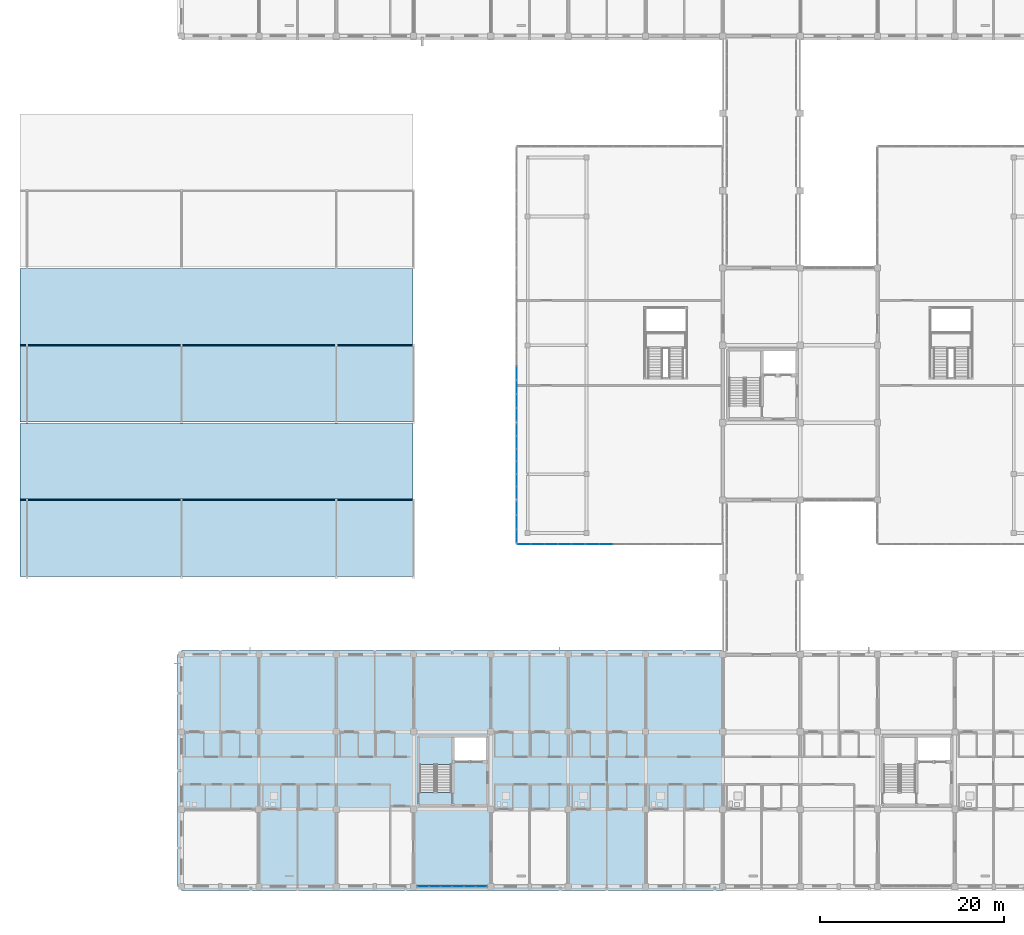
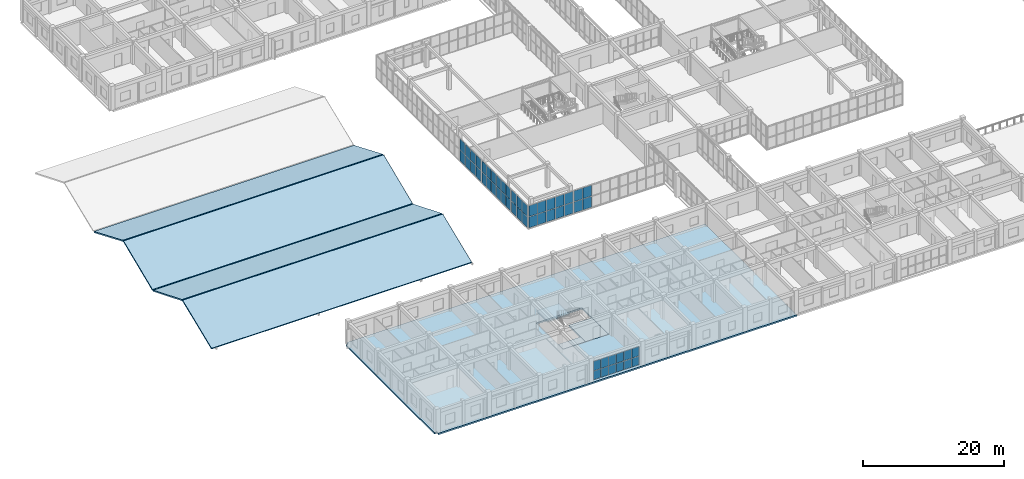
# One storey, part 96 of 140: 52 plates, 8 slabs, 7 elements without a shape of their own.
"""IFC4 building model written with IfcOpenShell, lengths in metres."""

import ifcopenshell
import ifcopenshell.guid

model = None  # the IFC model being written
_history = None  # IfcOwnerHistory: only IFC2X3 demands one
_inside = {}  # id of a spatial element -> (the spatial element, [elements in it])
_under = {}  # id of a project, library or spatial element -> (it, [spatial elements below it])
_declared = {}  # id of a project -> (the project, [libraries it declares])
_typed = {}  # id of a type object -> (the type object, [elements of that type])
_made_of = {}  # id of a material, layer set ... -> (it, [elements and type objects made of it])


def new_model(schema):
    """Start an empty IFC model of exactly this schema.

    Asked for "IFC4X3", IfcOpenShell would pick the latest addendum, in which some entities
    have other attributes; the version numbers below select the first issue.
    IFC2X3 requires an IfcOwnerHistory on every rooted entity: one is made here for all.
    """
    global model, _history
    if schema == "IFC4X3":
        model = ifcopenshell.file(schema_version=(4, 3, 0, 0))
    else:
        model = ifcopenshell.file(schema=schema)
    _inside.clear()
    _under.clear()
    _declared.clear()
    _typed.clear()
    _made_of.clear()
    _history = None
    if model.schema == "IFC2X3":
        org = make("IfcOrganization", Name="unknown")
        user = make(
            "IfcPersonAndOrganization",
            ThePerson=make("IfcPerson", FamilyName="unknown"),
            TheOrganization=org,
        )
        app = make(
            "IfcApplication",
            ApplicationDeveloper=org,
            Version="unknown",
            ApplicationFullName="unknown",
            ApplicationIdentifier="unknown",
        )
        _history = make(
            "IfcOwnerHistory",
            OwningUser=user,
            OwningApplication=app,
            ChangeAction="ADDED",
            CreationDate=0,
        )
    return model


def make(cls, **values):
    """One entity of the class cls with the attributes given. An attribute that is None is left unset."""
    return model.create_entity(
        cls, **{name: value for name, value in values.items() if value is not None}
    )


def rooted(cls, **values):
    """An entity with a GlobalId (a new one), such as an element, a storey or a relation."""
    return make(cls, GlobalId=ifcopenshell.guid.new(), OwnerHistory=_history, **values)


def si_unit(unit_type, name, prefix=None):
    """IfcSIUnit, for example si_unit("LENGTHUNIT", "METRE", prefix="MILLI")."""
    return make("IfcSIUnit", UnitType=unit_type, Prefix=prefix, Name=name)


def assignment(units):
    """IfcUnitAssignment: the units of a project."""
    return None if units is None else make("IfcUnitAssignment", Units=units)


def point(xyz):
    """IfcCartesianPoint."""
    return None if xyz is None else make("IfcCartesianPoint", Coordinates=xyz)


def direction(xyz):
    """IfcDirection."""
    return None if xyz is None else make("IfcDirection", DirectionRatios=xyz)


def frame(location, z_axis=None, x_axis=None):
    """IfcAxis2Placement3D, a coordinate frame: its origin and axes. An axis left out is left unset."""
    return make(
        "IfcAxis2Placement3D",
        Location=point(location),
        Axis=direction(z_axis),
        RefDirection=direction(x_axis),
    )


def frame_2d(location, x_axis=None):
    """IfcAxis2Placement2D, a coordinate frame in the plane: its origin and x axis."""
    return make(
        "IfcAxis2Placement2D", Location=point(location), RefDirection=direction(x_axis)
    )


def origin():
    """The frame at (0, 0, 0) with its axes left unset."""
    return frame((0.0, 0.0, 0.0))


def origin_2d():
    """The frame at (0, 0) in the plane with its x axis left unset."""
    return frame_2d((0.0, 0.0))


def place(relative_to, where):
    """IfcLocalPlacement: puts the frame where relative to a parent placement (None: the world)."""
    return make(
        "IfcLocalPlacement", PlacementRelTo=relative_to, RelativePlacement=where
    )


def context(
    kind, dimensions, precision=None, world=None, true_north=None, identifier=None
):
    """IfcGeometricRepresentationContext, for example the 3D "Model" context."""
    return make(
        "IfcGeometricRepresentationContext",
        ContextIdentifier=identifier,
        ContextType=kind,
        CoordinateSpaceDimension=dimensions,
        Precision=precision,
        WorldCoordinateSystem=world,
        TrueNorth=true_north,
    )


def subcontext(parent, identifier, kind, view, scale=None):
    """IfcGeometricRepresentationSubContext, for example "Body" below "Model"."""
    return make(
        "IfcGeometricRepresentationSubContext",
        ContextIdentifier=identifier,
        ContextType=kind,
        ParentContext=parent,
        TargetScale=scale,
        TargetView=view,
    )


def project(units=None, contexts=None):
    """IfcProject with its units and contexts."""
    return rooted(
        "IfcProject",
        Name="project",
        RepresentationContexts=contexts,
        UnitsInContext=assignment(units),
    )


def spatial(cls, under=None, at=None, **own):
    """A site, building, storey or space (cls), placed at a placement, below another one or the project."""
    s = rooted(cls, ObjectPlacement=at, **own)
    if under is not None:
        _under.setdefault(under.id(), (under, []))[1].append(s)
    return s


def polyline(points):
    """IfcPolyline through the points."""
    return make("IfcPolyline", Points=[point(p) for p in points])


def profile(cls, at=None, kind="AREA", **sizes):
    """A parametric profile (cls). Its sizes go by their IFC names, for example OverallWidth=200.0."""
    return make(cls, ProfileType=kind, Position=at, **sizes)


def rectangle(**sizes):
    """IfcRectangleProfileDef."""
    return profile("IfcRectangleProfileDef", **sizes)


def outline(outer, holes=None, kind="AREA"):
    """IfcArbitraryClosedProfileDef: a profile drawn as a closed curve; with holes, ...WithVoids."""
    if holes is None:
        return make("IfcArbitraryClosedProfileDef", ProfileType=kind, OuterCurve=outer)
    return make(
        "IfcArbitraryProfileDefWithVoids",
        ProfileType=kind,
        OuterCurve=outer,
        InnerCurves=holes,
    )


def extrude(swept, where, along, depth):
    """IfcExtrudedAreaSolid: the profile swept, set in the frame where, extruded along a direction by depth."""
    return make(
        "IfcExtrudedAreaSolid",
        SweptArea=swept,
        Position=where,
        ExtrudedDirection=direction(along),
        Depth=depth,
    )


def shape(context_of_items, identifier, shape_type, items):
    """IfcShapeRepresentation: the items that make up one representation, for example the "Body"."""
    return make(
        "IfcShapeRepresentation",
        ContextOfItems=context_of_items,
        RepresentationIdentifier=identifier,
        RepresentationType=shape_type,
        Items=items,
    )


def material(Name=None, Category=None):
    """IfcMaterial."""
    return make("IfcMaterial", Name=Name, Category=Category)


def layer(
    of_material, thickness, ventilated=None, Name=None, Category=None, Priority=None
):
    """IfcMaterialLayer: one layer of a wall or slab, of a material (None: an air gap)."""
    return make(
        "IfcMaterialLayer",
        Material=of_material,
        LayerThickness=thickness,
        IsVentilated=ventilated,
        Name=Name,
        Category=Category,
        Priority=Priority,
    )


def layer_set(layers, Name=None):
    """IfcMaterialLayerSet."""
    return make("IfcMaterialLayerSet", MaterialLayers=layers, LayerSetName=Name)


def made_of(thing, what):
    """Note that an element or type object is made of a material, layer set ...; save() writes the relation."""
    if what is not None:
        _made_of.setdefault(what.id(), (what, []))[1].append(thing)
    return thing


def type_object(cls, material=None, **own):
    """A type object (cls), such as IfcWallType, which elements share."""
    return made_of(rooted(cls, **own), material)


def element(
    cls,
    number,
    at=None,
    inside=None,
    cuts=None,
    type_object=None,
    material=None,
    context=None,
    identifier="Body",
    shape_type=None,
    held_by="IfcProductDefinitionShape",
    body=None,
    shapes=None,
    **own,
):
    """One element of the class cls, such as IfcWall. Its Tag is "e" and its number.

    at: its placement. inside: the storey or other place that contains it. cuts: it is an
    opening in that element (IfcRelVoidsElement). A single representation is given by context,
    identifier, shape_type and body (its items); several are given by shapes. held_by: the class
    of the entity that holds the representations. save() writes the other relations.
    """
    e = rooted(cls, Tag="e%d" % number, ObjectPlacement=at, **own)
    if body is not None:
        shapes = [shape(context, identifier, shape_type, body)]
    if shapes is not None:
        e.Representation = make(held_by, Representations=shapes)
    if inside is not None:
        _inside.setdefault(inside.id(), (inside, []))[1].append(e)
    if cuts is not None:
        rooted(
            "IfcRelVoidsElement", RelatingBuildingElement=cuts, RelatedOpeningElement=e
        )
    if type_object is not None:
        _typed.setdefault(type_object.id(), (type_object, []))[1].append(e)
    return made_of(e, material)


def aggregate(whole, parts):
    """IfcRelAggregates: a whole, such as a stair, and the parts it consists of."""
    return rooted("IfcRelAggregates", RelatingObject=whole, RelatedObjects=parts)


def save(model, path):
    """Write the relations noted so far, then the file.

    IfcRelAggregates (storeys below a building ...), IfcRelContainedInSpatialStructure (elements
    in a storey), IfcRelDefinesByType, IfcRelAssociatesMaterial and IfcRelDeclares: one each for
    every whole, place, type object, material and project.
    """
    for whole, parts in _under.values():
        aggregate(whole, parts)
    for where, things in _inside.values():
        rooted(
            "IfcRelContainedInSpatialStructure",
            RelatedElements=things,
            RelatingStructure=where,
        )
    for kind, things in _typed.values():
        rooted("IfcRelDefinesByType", RelatedObjects=things, RelatingType=kind)
    for what, things in _made_of.values():
        rooted("IfcRelAssociatesMaterial", RelatedObjects=things, RelatingMaterial=what)
    for by, libraries in _declared.values():
        rooted("IfcRelDeclares", RelatingContext=by, RelatedDefinitions=libraries)
    model.write(path)


model = new_model("IFC4")

# Units and contexts
model_context = context("Model", 3, precision=1e-05, world=origin(), true_north=direction((0.0, 1.0)))
body_context = subcontext(model_context, "Body", "Model", "MODEL_VIEW")
ifc_project = project(units=[si_unit("LENGTHUNIT", "METRE"), si_unit("AREAUNIT", "SQUARE_METRE"), si_unit("VOLUMEUNIT", "CUBIC_METRE"), si_unit("PLANEANGLEUNIT", "RADIAN"), si_unit("MASSUNIT", "GRAM", prefix="KILO")], contexts=[model_context])

# Site, building, storey
site_placement = place(None, origin())
site = spatial("IfcSite", under=ifc_project, at=site_placement, CompositionType="ELEMENT")
building_placement = place(site_placement, origin())
building = spatial("IfcBuilding", under=site, at=building_placement, Name="Trelvath General Hospital", CompositionType="ELEMENT")
storey_placement = place(building_placement, frame((0.0, 0.0, 16.199951171875)))
storey = spatial("IfcBuildingStorey", under=building, at=storey_placement, Name="L04", CompositionType="ELEMENT", Elevation=16.199951171875)

# Curtain wall, plates
ifc_material_1 = material(Name="Anodised aluminium and low-E glass", Category="aluminium")
ifc_layer_1 = layer(ifc_material_1, 0.14990234375)
ifc_layer_set_1 = layer_set([ifc_layer_1], Name="Anodised aluminium and low-E glass")
curtain_wall_type_1 = type_object("IfcCurtainWallType", Name="CW Facade 761 332 15", PredefinedType="USERDEFINED", material=ifc_layer_set_1)
curtain_wall_1_placement = place(storey_placement, origin())
curtain_wall_1 = element("IfcCurtainWall", 1, at=curtain_wall_1_placement, inside=storey, type_object=curtain_wall_type_1, Name="Facade Curtain Wall CW-062", ObjectType="Unitised Glazed Curtain Wall", PredefinedType="USERDEFINED")
ifc_material_2 = material(Name="Low-E laminated glass", Category="glass")
ifc_layer_2 = layer(ifc_material_2, 0.028076171875)
ifc_layer_set_2 = layer_set([ifc_layer_2], Name="Low-E laminated glass")
plate_type = type_object("IfcPlateType", Name="CurtainPanel Glass28", PredefinedType="CURTAIN_PANEL", material=ifc_layer_set_2)
plate_1_placement = place(storey_placement, frame((49.355712890625, 0.0, 0.06005859375), z_axis=(0.0, 0.0, 1.0), x_axis=(-1.0, 0.0, 0.0)))
plate_1 = element("IfcPlate", 2, at=plate_1_placement, type_object=plate_type, Name="CW-062 panel 1.1", PredefinedType="CURTAIN_PANEL", context=body_context, shape_type="SweptSolid", body=[
    extrude(rectangle(XDim=1.17822265625, YDim=0.028076171875, at=origin_2d()), origin(), (0.0, 0.0, 1.0), 1.50390625),
])
plate_2_placement = place(storey_placement, frame((49.355712890625, 0.0, 1.6240234375), z_axis=(0.0, 0.0, 1.0), x_axis=(-1.0, 0.0, 0.0)))
plate_2 = element("IfcPlate", 3, at=plate_2_placement, type_object=plate_type, Name="CW-062 panel 1.2", PredefinedType="CURTAIN_PANEL", context=body_context, shape_type="SweptSolid", body=[
    extrude(rectangle(XDim=1.17822265625, YDim=0.028076171875, at=origin_2d()), origin(), (0.0, 0.0, 1.0), 1.635986328125),
])
plate_3_placement = place(storey_placement, frame((48.1025390625, 0.0, 0.06005859375), z_axis=(0.0, 0.0, 1.0), x_axis=(-1.0, 0.0, 0.0)))
plate_3 = element("IfcPlate", 4, at=plate_3_placement, type_object=plate_type, Name="CW-062 panel 2.1", PredefinedType="CURTAIN_PANEL", context=body_context, shape_type="SweptSolid", body=[
    extrude(rectangle(XDim=1.208251953125, YDim=0.028076171875, at=origin_2d()), origin(), (0.0, 0.0, 1.0), 1.50390625),
])
plate_4_placement = place(storey_placement, frame((48.1025390625, 0.0, 1.6240234375), z_axis=(0.0, 0.0, 1.0), x_axis=(-1.0, 0.0, 0.0)))
plate_4 = element("IfcPlate", 5, at=plate_4_placement, type_object=plate_type, Name="CW-062 panel 2.2", PredefinedType="CURTAIN_PANEL", context=body_context, shape_type="SweptSolid", body=[
    extrude(rectangle(XDim=1.208251953125, YDim=0.028076171875, at=origin_2d()), origin(), (0.0, 0.0, 1.0), 1.635986328125),
])
plate_5_placement = place(storey_placement, frame((46.834228515625, 0.0, 0.06005859375), z_axis=(0.0, 0.0, 1.0), x_axis=(-1.0, 0.0, 0.0)))
plate_5 = element("IfcPlate", 6, at=plate_5_placement, type_object=plate_type, Name="CW-062 panel 3.1", PredefinedType="CURTAIN_PANEL", context=body_context, shape_type="SweptSolid", body=[
    extrude(rectangle(XDim=1.208251953125, YDim=0.028076171875, at=origin_2d()), origin(), (0.0, 0.0, 1.0), 1.50390625),
])
plate_6_placement = place(storey_placement, frame((46.834228515625, 0.0, 1.6240234375), z_axis=(0.0, 0.0, 1.0), x_axis=(-1.0, 0.0, 0.0)))
plate_6 = element("IfcPlate", 7, at=plate_6_placement, type_object=plate_type, Name="CW-062 panel 3.2", PredefinedType="CURTAIN_PANEL", context=body_context, shape_type="SweptSolid", body=[
    extrude(rectangle(XDim=1.208251953125, YDim=0.028076171875, at=origin_2d()), origin(), (0.0, 0.0, 1.0), 1.635986328125),
])
plate_7_placement = place(storey_placement, frame((45.56591796875, 0.0, 0.06005859375), z_axis=(0.0, 0.0, 1.0), x_axis=(-1.0, 0.0, 0.0)))
plate_7 = element("IfcPlate", 8, at=plate_7_placement, type_object=plate_type, Name="CW-062 panel 4.1", PredefinedType="CURTAIN_PANEL", context=body_context, shape_type="SweptSolid", body=[
    extrude(rectangle(XDim=1.208251953125, YDim=0.028076171875, at=origin_2d()), origin(), (0.0, 0.0, 1.0), 1.50390625),
])
plate_8_placement = place(storey_placement, frame((45.56591796875, 0.0, 1.6240234375), z_axis=(0.0, 0.0, 1.0), x_axis=(-1.0, 0.0, 0.0)))
plate_8 = element("IfcPlate", 9, at=plate_8_placement, type_object=plate_type, Name="CW-062 panel 4.2", PredefinedType="CURTAIN_PANEL", context=body_context, shape_type="SweptSolid", body=[
    extrude(rectangle(XDim=1.208251953125, YDim=0.028076171875, at=origin_2d()), origin(), (0.0, 0.0, 1.0), 1.635986328125),
])
plate_9_placement = place(storey_placement, frame((44.297607421875, 0.0, 0.06005859375), z_axis=(0.0, 0.0, 1.0), x_axis=(-1.0, 0.0, 0.0)))
plate_9 = element("IfcPlate", 10, at=plate_9_placement, type_object=plate_type, Name="CW-062 panel 5.1", PredefinedType="CURTAIN_PANEL", context=body_context, shape_type="SweptSolid", body=[
    extrude(rectangle(XDim=1.208251953125, YDim=0.028076171875, at=origin_2d()), origin(), (0.0, 0.0, 1.0), 1.50390625),
])
plate_10_placement = place(storey_placement, frame((44.297607421875, 0.0, 1.6240234375), z_axis=(0.0, 0.0, 1.0), x_axis=(-1.0, 0.0, 0.0)))
plate_10 = element("IfcPlate", 11, at=plate_10_placement, type_object=plate_type, Name="CW-062 panel 5.2", PredefinedType="CURTAIN_PANEL", context=body_context, shape_type="SweptSolid", body=[
    extrude(rectangle(XDim=1.208251953125, YDim=0.028076171875, at=origin_2d()), origin(), (0.0, 0.0, 1.0), 1.635986328125),
])
plate_11_placement = place(storey_placement, frame((43.044189453125, 0.0, 0.06005859375), z_axis=(0.0, 0.0, 1.0), x_axis=(-1.0, 0.0, 0.0)))
plate_11 = element("IfcPlate", 12, at=plate_11_placement, type_object=plate_type, Name="CW-062 panel 6.1", PredefinedType="CURTAIN_PANEL", context=body_context, shape_type="SweptSolid", body=[
    extrude(rectangle(XDim=1.17822265625, YDim=0.028076171875, at=origin_2d()), origin(), (0.0, 0.0, 1.0), 1.50390625),
])
plate_12_placement = place(storey_placement, frame((43.044189453125, 0.0, 1.6240234375), z_axis=(0.0, 0.0, 1.0), x_axis=(-1.0, 0.0, 0.0)))
plate_12 = element("IfcPlate", 13, at=plate_12_placement, type_object=plate_type, Name="CW-062 panel 6.2", PredefinedType="CURTAIN_PANEL", context=body_context, shape_type="SweptSolid", body=[
    extrude(rectangle(XDim=1.17822265625, YDim=0.028076171875, at=origin_2d()), origin(), (0.0, 0.0, 1.0), 1.635986328125),
])
aggregate(curtain_wall_1, [plate_1, plate_2, plate_3, plate_4, plate_5, plate_6, plate_7, plate_8, plate_9, plate_10, plate_11, plate_12])

ifc_material_3 = material(Name="Anodised aluminium and low-E glass", Category="aluminium")
ifc_layer_3 = layer(ifc_material_3, 0.139892578125)
ifc_layer_set_3 = layer_set([ifc_layer_3], Name="Anodised aluminium and low-E glass")
curtain_wall_type_2 = type_object("IfcCurtainWallType", Name="CW CrystalCube 737 396 14", PredefinedType="USERDEFINED", material=ifc_layer_set_3)
curtain_wall_2_placement = place(storey_placement, origin())
curtain_wall_2 = element("IfcCurtainWall", 14, at=curtain_wall_2_placement, inside=storey, type_object=curtain_wall_type_2, Name="Crystal Cube Curtain Wall CUBE-W-T1 S1 L04", ObjectType="Unitised Glazed Curtain Wall", PredefinedType="USERDEFINED")
plate_13_placement = place(storey_placement, frame((59.89501953125, 37.199951171875, 0.06005859375), z_axis=(0.0, 0.0, 1.0), x_axis=(-1.0, 0.0, 0.0)))
plate_13 = element("IfcPlate", 15, at=plate_13_placement, type_object=plate_type, Name="CW-268 panel 1.1", PredefinedType="CURTAIN_PANEL", context=body_context, shape_type="SweptSolid", body=[
    extrude(rectangle(XDim=1.38330078125, YDim=0.028076171875, at=origin_2d()), origin(), (0.0, 0.0, 1.0), 1.889892578125),
])
plate_14_placement = place(storey_placement, frame((59.89501953125, 37.199951171875, 2.01025390625), z_axis=(0.0, 0.0, 1.0), x_axis=(-1.0, 0.0, 0.0)))
plate_14 = element("IfcPlate", 16, at=plate_14_placement, type_object=plate_type, Name="CW-268 panel 1.2", PredefinedType="CURTAIN_PANEL", context=body_context, shape_type="SweptSolid", body=[
    extrude(rectangle(XDim=1.38330078125, YDim=0.028076171875, at=origin_2d()), origin(), (0.0, 0.0, 1.0), 1.889892578125),
])
plate_15_placement = place(storey_placement, frame((58.436767578125, 37.199951171875, 0.06005859375), z_axis=(0.0, 0.0, 1.0), x_axis=(-1.0, 0.0, 0.0)))
plate_15 = element("IfcPlate", 17, at=plate_15_placement, type_object=plate_type, Name="CW-268 panel 2.1", PredefinedType="CURTAIN_PANEL", context=body_context, shape_type="SweptSolid", body=[
    extrude(rectangle(XDim=1.413330078125, YDim=0.028076171875, at=origin_2d()), origin(), (0.0, 0.0, 1.0), 1.889892578125),
])
plate_16_placement = place(storey_placement, frame((58.436767578125, 37.199951171875, 2.01025390625), z_axis=(0.0, 0.0, 1.0), x_axis=(-1.0, 0.0, 0.0)))
plate_16 = element("IfcPlate", 18, at=plate_16_placement, type_object=plate_type, Name="CW-268 panel 2.2", PredefinedType="CURTAIN_PANEL", context=body_context, shape_type="SweptSolid", body=[
    extrude(rectangle(XDim=1.413330078125, YDim=0.028076171875, at=origin_2d()), origin(), (0.0, 0.0, 1.0), 1.889892578125),
])
plate_17_placement = place(storey_placement, frame((56.96337890625, 37.199951171875, 0.06005859375), z_axis=(0.0, 0.0, 1.0), x_axis=(-1.0, 0.0, 0.0)))
plate_17 = element("IfcPlate", 19, at=plate_17_placement, type_object=plate_type, Name="CW-268 panel 3.1", PredefinedType="CURTAIN_PANEL", context=body_context, shape_type="SweptSolid", body=[
    extrude(rectangle(XDim=1.413330078125, YDim=0.028076171875, at=origin_2d()), origin(), (0.0, 0.0, 1.0), 1.889892578125),
])
plate_18_placement = place(storey_placement, frame((56.96337890625, 37.199951171875, 2.01025390625), z_axis=(0.0, 0.0, 1.0), x_axis=(-1.0, 0.0, 0.0)))
plate_18 = element("IfcPlate", 20, at=plate_18_placement, type_object=plate_type, Name="CW-268 panel 3.2", PredefinedType="CURTAIN_PANEL", context=body_context, shape_type="SweptSolid", body=[
    extrude(rectangle(XDim=1.413330078125, YDim=0.028076171875, at=origin_2d()), origin(), (0.0, 0.0, 1.0), 1.889892578125),
])
plate_19_placement = place(storey_placement, frame((55.489990234375, 37.199951171875, 0.06005859375), z_axis=(0.0, 0.0, 1.0), x_axis=(-1.0, 0.0, 0.0)))
plate_19 = element("IfcPlate", 21, at=plate_19_placement, type_object=plate_type, Name="CW-268 panel 4.1", PredefinedType="CURTAIN_PANEL", context=body_context, shape_type="SweptSolid", body=[
    extrude(rectangle(XDim=1.413330078125, YDim=0.028076171875, at=origin_2d()), origin(), (0.0, 0.0, 1.0), 1.889892578125),
])
plate_20_placement = place(storey_placement, frame((55.489990234375, 37.199951171875, 2.01025390625), z_axis=(0.0, 0.0, 1.0), x_axis=(-1.0, 0.0, 0.0)))
plate_20 = element("IfcPlate", 22, at=plate_20_placement, type_object=plate_type, Name="CW-268 panel 4.2", PredefinedType="CURTAIN_PANEL", context=body_context, shape_type="SweptSolid", body=[
    extrude(rectangle(XDim=1.413330078125, YDim=0.028076171875, at=origin_2d()), origin(), (0.0, 0.0, 1.0), 1.889892578125),
])
plate_21_placement = place(storey_placement, frame((54.03173828125, 37.199951171875, 0.06005859375), z_axis=(0.0, 0.0, 1.0), x_axis=(-1.0, 0.0, 0.0)))
plate_21 = element("IfcPlate", 23, at=plate_21_placement, type_object=plate_type, Name="CW-268 panel 5.1", PredefinedType="CURTAIN_PANEL", context=body_context, shape_type="SweptSolid", body=[
    extrude(rectangle(XDim=1.38330078125, YDim=0.028076171875, at=origin_2d()), origin(), (0.0, 0.0, 1.0), 1.889892578125),
])
plate_22_placement = place(storey_placement, frame((54.03173828125, 37.199951171875, 2.01025390625), z_axis=(0.0, 0.0, 1.0), x_axis=(-1.0, 0.0, 0.0)))
plate_22 = element("IfcPlate", 24, at=plate_22_placement, type_object=plate_type, Name="CW-268 panel 5.2", PredefinedType="CURTAIN_PANEL", context=body_context, shape_type="SweptSolid", body=[
    extrude(rectangle(XDim=1.38330078125, YDim=0.028076171875, at=origin_2d()), origin(), (0.0, 0.0, 1.0), 1.889892578125),
])
aggregate(curtain_wall_2, [plate_13, plate_14, plate_15, plate_16, plate_17, plate_18, plate_19, plate_20, plate_21, plate_22])

ifc_material_4 = material(Name="Anodised aluminium and low-E glass", Category="aluminium")
ifc_layer_4 = layer(ifc_material_4, 0.139892578125)
ifc_layer_set_4 = layer_set([ifc_layer_4], Name="Anodised aluminium and low-E glass")
curtain_wall_type_3 = type_object("IfcCurtainWallType", Name="CW CrystalCube 743 396 14", PredefinedType="USERDEFINED", material=ifc_layer_set_4)
curtain_wall_3_placement = place(storey_placement, origin())
curtain_wall_3 = element("IfcCurtainWall", 25, at=curtain_wall_3_placement, inside=storey, type_object=curtain_wall_type_3, Name="Crystal Cube Curtain Wall CUBE-W-T1 S2 L04", ObjectType="Unitised Glazed Curtain Wall", PredefinedType="USERDEFINED")
plate_23_placement = place(storey_placement, frame((62.914794921875, 37.199951171875, 0.06005859375), z_axis=(0.0, 0.0, 1.0), x_axis=(-1.0, 0.0, 0.0)))
plate_23 = element("IfcPlate", 26, at=plate_23_placement, type_object=plate_type, Name="CW-269 panel 4.1", PredefinedType="CURTAIN_PANEL", context=body_context, shape_type="SweptSolid", body=[
    extrude(rectangle(XDim=1.42529296875, YDim=0.028076171875, at=origin_2d()), origin(), (0.0, 0.0, 1.0), 1.889892578125),
])
plate_24_placement = place(storey_placement, frame((62.914794921875, 37.199951171875, 2.01025390625), z_axis=(0.0, 0.0, 1.0), x_axis=(-1.0, 0.0, 0.0)))
plate_24 = element("IfcPlate", 27, at=plate_24_placement, type_object=plate_type, Name="CW-269 panel 4.2", PredefinedType="CURTAIN_PANEL", context=body_context, shape_type="SweptSolid", body=[
    extrude(rectangle(XDim=1.42529296875, YDim=0.028076171875, at=origin_2d()), origin(), (0.0, 0.0, 1.0), 1.889892578125),
])
plate_25_placement = place(storey_placement, frame((61.4443359375, 37.199951171875, 0.06005859375), z_axis=(0.0, 0.0, 1.0), x_axis=(-1.0, 0.0, 0.0)))
plate_25 = element("IfcPlate", 28, at=plate_25_placement, type_object=plate_type, Name="CW-269 panel 5.1", PredefinedType="CURTAIN_PANEL", context=body_context, shape_type="SweptSolid", body=[
    extrude(rectangle(XDim=1.395263671875, YDim=0.028076171875, at=origin_2d()), origin(), (0.0, 0.0, 1.0), 1.889892578125),
])
plate_26_placement = place(storey_placement, frame((61.4443359375, 37.199951171875, 2.01025390625), z_axis=(0.0, 0.0, 1.0), x_axis=(-1.0, 0.0, 0.0)))
plate_26 = element("IfcPlate", 29, at=plate_26_placement, type_object=plate_type, Name="CW-269 panel 5.2", PredefinedType="CURTAIN_PANEL", context=body_context, shape_type="SweptSolid", body=[
    extrude(rectangle(XDim=1.395263671875, YDim=0.028076171875, at=origin_2d()), origin(), (0.0, 0.0, 1.0), 1.889892578125),
])
aggregate(curtain_wall_3, [plate_23, plate_24, plate_25, plate_26])

ifc_material_5 = material(Name="Anodised aluminium and low-E glass", Category="aluminium")
ifc_layer_5 = layer(ifc_material_5, 0.139892578125)
ifc_layer_set_5 = layer_set([ifc_layer_5], Name="Anodised aluminium and low-E glass")
curtain_wall_type_4 = type_object("IfcCurtainWallType", Name="CW CrystalCube 464 396 14", PredefinedType="USERDEFINED", material=ifc_layer_set_5)
curtain_wall_4_placement = place(storey_placement, origin())
curtain_wall_4 = element("IfcCurtainWall", 30, at=curtain_wall_4_placement, inside=storey, type_object=curtain_wall_type_4, Name="Crystal Cube Curtain Wall CUBE-W-T1 W1 L04", ObjectType="Unitised Glazed Curtain Wall", PredefinedType="USERDEFINED")
plate_27_placement = place(storey_placement, frame((53.199951171875, 38.068359375, 0.06005859375), z_axis=(0.0, 0.0, 1.0), x_axis=(0.0, 1.0, 0.0)))
plate_27 = element("IfcPlate", 31, at=plate_27_placement, type_object=plate_type, Name="CW-274 panel 1.1", PredefinedType="CURTAIN_PANEL", context=body_context, shape_type="SweptSolid", body=[
    extrude(rectangle(XDim=1.456787109375, YDim=0.028076171875, at=origin_2d()), origin(), (0.0, 0.0, 1.0), 1.889892578125),
])
plate_28_placement = place(storey_placement, frame((53.199951171875, 38.068359375, 2.01025390625), z_axis=(0.0, 0.0, 1.0), x_axis=(0.0, 1.0, 0.0)))
plate_28 = element("IfcPlate", 32, at=plate_28_placement, type_object=plate_type, Name="CW-274 panel 1.2", PredefinedType="CURTAIN_PANEL", context=body_context, shape_type="SweptSolid", body=[
    extrude(rectangle(XDim=1.456787109375, YDim=0.028076171875, at=origin_2d()), origin(), (0.0, 0.0, 1.0), 1.889892578125),
])
plate_29_placement = place(storey_placement, frame((53.199951171875, 39.60009765625, 0.06005859375), z_axis=(0.0, 0.0, 1.0), x_axis=(0.0, 1.0, 0.0)))
plate_29 = element("IfcPlate", 33, at=plate_29_placement, type_object=plate_type, Name="CW-274 panel 2.1", PredefinedType="CURTAIN_PANEL", context=body_context, shape_type="SweptSolid", body=[
    extrude(rectangle(XDim=1.486572265625, YDim=0.028076171875, at=origin_2d()), origin(), (0.0, 0.0, 1.0), 1.889892578125),
])
plate_30_placement = place(storey_placement, frame((53.199951171875, 39.60009765625, 2.01025390625), z_axis=(0.0, 0.0, 1.0), x_axis=(0.0, 1.0, 0.0)))
plate_30 = element("IfcPlate", 34, at=plate_30_placement, type_object=plate_type, Name="CW-274 panel 2.2", PredefinedType="CURTAIN_PANEL", context=body_context, shape_type="SweptSolid", body=[
    extrude(rectangle(XDim=1.486572265625, YDim=0.028076171875, at=origin_2d()), origin(), (0.0, 0.0, 1.0), 1.889892578125),
])
plate_31_placement = place(storey_placement, frame((53.199951171875, 41.131591796875, 0.06005859375), z_axis=(0.0, 0.0, 1.0), x_axis=(0.0, 1.0, 0.0)))
plate_31 = element("IfcPlate", 35, at=plate_31_placement, type_object=plate_type, Name="CW-274 panel 3.1", PredefinedType="CURTAIN_PANEL", context=body_context, shape_type="SweptSolid", body=[
    extrude(rectangle(XDim=1.456787109375, YDim=0.028076171875, at=origin_2d()), origin(), (0.0, 0.0, 1.0), 1.889892578125),
])
plate_32_placement = place(storey_placement, frame((53.199951171875, 41.131591796875, 2.01025390625), z_axis=(0.0, 0.0, 1.0), x_axis=(0.0, 1.0, 0.0)))
plate_32 = element("IfcPlate", 36, at=plate_32_placement, type_object=plate_type, Name="CW-274 panel 3.2", PredefinedType="CURTAIN_PANEL", context=body_context, shape_type="SweptSolid", body=[
    extrude(rectangle(XDim=1.456787109375, YDim=0.028076171875, at=origin_2d()), origin(), (0.0, 0.0, 1.0), 1.889892578125),
])
aggregate(curtain_wall_4, [plate_27, plate_28, plate_29, plate_30, plate_31, plate_32])

ifc_material_6 = material(Name="Anodised aluminium and low-E glass", Category="aluminium")
ifc_layer_6 = layer(ifc_material_6, 0.139892578125)
ifc_layer_set_6 = layer_set([ifc_layer_6], Name="Anodised aluminium and low-E glass")
curtain_wall_type_5 = type_object("IfcCurtainWallType", Name="CW CrystalCube 824 396 14", PredefinedType="USERDEFINED", material=ifc_layer_set_6)
curtain_wall_5_placement = place(storey_placement, origin())
curtain_wall_5 = element("IfcCurtainWall", 37, at=curtain_wall_5_placement, inside=storey, type_object=curtain_wall_type_5, Name="Crystal Cube Curtain Wall CUBE-W-T1 W2 L04", ObjectType="Unitised Glazed Curtain Wall", PredefinedType="USERDEFINED")
plate_33_placement = place(storey_placement, frame((53.199951171875, 42.78173828125, 0.06005859375), z_axis=(0.0, 0.0, 1.0), x_axis=(0.0, 1.0, 0.0)))
plate_33 = element("IfcPlate", 38, at=plate_33_placement, type_object=plate_type, Name="CW-276 panel 1.1", PredefinedType="CURTAIN_PANEL", context=body_context, shape_type="SweptSolid", body=[
    extrude(rectangle(XDim=1.283447265625, YDim=0.028076171875, at=origin_2d()), origin(), (0.0, 0.0, 1.0), 1.889892578125),
])
plate_34_placement = place(storey_placement, frame((53.199951171875, 42.78173828125, 2.01025390625), z_axis=(0.0, 0.0, 1.0), x_axis=(0.0, 1.0, 0.0)))
plate_34 = element("IfcPlate", 39, at=plate_34_placement, type_object=plate_type, Name="CW-276 panel 1.2", PredefinedType="CURTAIN_PANEL", context=body_context, shape_type="SweptSolid", body=[
    extrude(rectangle(XDim=1.283447265625, YDim=0.028076171875, at=origin_2d()), origin(), (0.0, 0.0, 1.0), 1.889892578125),
])
plate_35_placement = place(storey_placement, frame((53.199951171875, 44.139892578125, 0.06005859375), z_axis=(0.0, 0.0, 1.0), x_axis=(0.0, 1.0, 0.0)))
plate_35 = element("IfcPlate", 40, at=plate_35_placement, type_object=plate_type, Name="CW-276 panel 2.1", PredefinedType="CURTAIN_PANEL", context=body_context, shape_type="SweptSolid", body=[
    extrude(rectangle(XDim=1.313232421875, YDim=0.028076171875, at=origin_2d()), origin(), (0.0, 0.0, 1.0), 1.889892578125),
])
plate_36_placement = place(storey_placement, frame((53.199951171875, 44.139892578125, 2.01025390625), z_axis=(0.0, 0.0, 1.0), x_axis=(0.0, 1.0, 0.0)))
plate_36 = element("IfcPlate", 41, at=plate_36_placement, type_object=plate_type, Name="CW-276 panel 2.2", PredefinedType="CURTAIN_PANEL", context=body_context, shape_type="SweptSolid", body=[
    extrude(rectangle(XDim=1.313232421875, YDim=0.028076171875, at=origin_2d()), origin(), (0.0, 0.0, 1.0), 1.889892578125),
])
plate_37_placement = place(storey_placement, frame((53.199951171875, 45.513427734375, 0.06005859375), z_axis=(0.0, 0.0, 1.0), x_axis=(0.0, 1.0, 0.0)))
plate_37 = element("IfcPlate", 42, at=plate_37_placement, type_object=plate_type, Name="CW-276 panel 3.1", PredefinedType="CURTAIN_PANEL", context=body_context, shape_type="SweptSolid", body=[
    extrude(rectangle(XDim=1.313232421875, YDim=0.028076171875, at=origin_2d()), origin(), (0.0, 0.0, 1.0), 1.889892578125),
])
plate_38_placement = place(storey_placement, frame((53.199951171875, 45.513427734375, 2.01025390625), z_axis=(0.0, 0.0, 1.0), x_axis=(0.0, 1.0, 0.0)))
plate_38 = element("IfcPlate", 43, at=plate_38_placement, type_object=plate_type, Name="CW-276 panel 3.2", PredefinedType="CURTAIN_PANEL", context=body_context, shape_type="SweptSolid", body=[
    extrude(rectangle(XDim=1.313232421875, YDim=0.028076171875, at=origin_2d()), origin(), (0.0, 0.0, 1.0), 1.889892578125),
])
plate_39_placement = place(storey_placement, frame((53.199951171875, 46.88671875, 0.06005859375), z_axis=(0.0, 0.0, 1.0), x_axis=(0.0, 1.0, 0.0)))
plate_39 = element("IfcPlate", 44, at=plate_39_placement, type_object=plate_type, Name="CW-276 panel 4.1", PredefinedType="CURTAIN_PANEL", context=body_context, shape_type="SweptSolid", body=[
    extrude(rectangle(XDim=1.313232421875, YDim=0.028076171875, at=origin_2d()), origin(), (0.0, 0.0, 1.0), 1.889892578125),
])
plate_40_placement = place(storey_placement, frame((53.199951171875, 46.88671875, 2.01025390625), z_axis=(0.0, 0.0, 1.0), x_axis=(0.0, 1.0, 0.0)))
plate_40 = element("IfcPlate", 45, at=plate_40_placement, type_object=plate_type, Name="CW-276 panel 4.2", PredefinedType="CURTAIN_PANEL", context=body_context, shape_type="SweptSolid", body=[
    extrude(rectangle(XDim=1.313232421875, YDim=0.028076171875, at=origin_2d()), origin(), (0.0, 0.0, 1.0), 1.889892578125),
])
plate_41_placement = place(storey_placement, frame((53.199951171875, 48.260009765625, 0.06005859375), z_axis=(0.0, 0.0, 1.0), x_axis=(0.0, 1.0, 0.0)))
plate_41 = element("IfcPlate", 46, at=plate_41_placement, type_object=plate_type, Name="CW-276 panel 5.1", PredefinedType="CURTAIN_PANEL", context=body_context, shape_type="SweptSolid", body=[
    extrude(rectangle(XDim=1.313232421875, YDim=0.028076171875, at=origin_2d()), origin(), (0.0, 0.0, 1.0), 1.889892578125),
])
plate_42_placement = place(storey_placement, frame((53.199951171875, 48.260009765625, 2.01025390625), z_axis=(0.0, 0.0, 1.0), x_axis=(0.0, 1.0, 0.0)))
plate_42 = element("IfcPlate", 47, at=plate_42_placement, type_object=plate_type, Name="CW-276 panel 5.2", PredefinedType="CURTAIN_PANEL", context=body_context, shape_type="SweptSolid", body=[
    extrude(rectangle(XDim=1.313232421875, YDim=0.028076171875, at=origin_2d()), origin(), (0.0, 0.0, 1.0), 1.889892578125),
])
plate_43_placement = place(storey_placement, frame((53.199951171875, 49.618408203125, 0.06005859375), z_axis=(0.0, 0.0, 1.0), x_axis=(0.0, 1.0, 0.0)))
plate_43 = element("IfcPlate", 48, at=plate_43_placement, type_object=plate_type, Name="CW-276 panel 6.1", PredefinedType="CURTAIN_PANEL", context=body_context, shape_type="SweptSolid", body=[
    extrude(rectangle(XDim=1.283447265625, YDim=0.028076171875, at=origin_2d()), origin(), (0.0, 0.0, 1.0), 1.889892578125),
])
plate_44_placement = place(storey_placement, frame((53.199951171875, 49.618408203125, 2.01025390625), z_axis=(0.0, 0.0, 1.0), x_axis=(0.0, 1.0, 0.0)))
plate_44 = element("IfcPlate", 49, at=plate_44_placement, type_object=plate_type, Name="CW-276 panel 6.2", PredefinedType="CURTAIN_PANEL", context=body_context, shape_type="SweptSolid", body=[
    extrude(rectangle(XDim=1.283447265625, YDim=0.028076171875, at=origin_2d()), origin(), (0.0, 0.0, 1.0), 1.889892578125),
])
aggregate(curtain_wall_5, [plate_33, plate_34, plate_35, plate_36, plate_37, plate_38, plate_39, plate_40, plate_41, plate_42, plate_43, plate_44])

ifc_material_7 = material(Name="Anodised aluminium and low-E glass", Category="aluminium")
ifc_layer_7 = layer(ifc_material_7, 0.139892578125)
ifc_layer_set_7 = layer_set([ifc_layer_7], Name="Anodised aluminium and low-E glass")
curtain_wall_type_6 = type_object("IfcCurtainWallType", Name="CW CrystalCube 1664 396 14", PredefinedType="USERDEFINED", material=ifc_layer_set_7)
curtain_wall_6_placement = place(storey_placement, origin())
curtain_wall_6 = element("IfcCurtainWall", 50, at=curtain_wall_6_placement, inside=storey, type_object=curtain_wall_type_6, Name="Crystal Cube Curtain Wall CUBE-W-T1 W3 L04", ObjectType="Unitised Glazed Curtain Wall", PredefinedType="USERDEFINED")
plate_45_placement = place(storey_placement, frame((53.199951171875, 51.25146484375, 0.06005859375), z_axis=(0.0, 0.0, 1.0), x_axis=(0.0, 1.0, 0.0)))
plate_45 = element("IfcPlate", 51, at=plate_45_placement, type_object=plate_type, Name="CW-277 panel 1.1", PredefinedType="CURTAIN_PANEL", context=body_context, shape_type="SweptSolid", body=[
    extrude(rectangle(XDim=1.422607421875, YDim=0.028076171875, at=origin_2d()), origin(), (0.0, 0.0, 1.0), 1.889892578125),
])
plate_46_placement = place(storey_placement, frame((53.199951171875, 51.25146484375, 2.01025390625), z_axis=(0.0, 0.0, 1.0), x_axis=(0.0, 1.0, 0.0)))
plate_46 = element("IfcPlate", 52, at=plate_46_placement, type_object=plate_type, Name="CW-277 panel 1.2", PredefinedType="CURTAIN_PANEL", context=body_context, shape_type="SweptSolid", body=[
    extrude(rectangle(XDim=1.422607421875, YDim=0.028076171875, at=origin_2d()), origin(), (0.0, 0.0, 1.0), 1.889892578125),
])
plate_47_placement = place(storey_placement, frame((53.199951171875, 52.7490234375, 0.06005859375), z_axis=(0.0, 0.0, 1.0), x_axis=(0.0, 1.0, 0.0)))
plate_47 = element("IfcPlate", 53, at=plate_47_placement, type_object=plate_type, Name="CW-277 panel 2.1", PredefinedType="CURTAIN_PANEL", context=body_context, shape_type="SweptSolid", body=[
    extrude(rectangle(XDim=1.45263671875, YDim=0.028076171875, at=origin_2d()), origin(), (0.0, 0.0, 1.0), 1.889892578125),
])
plate_48_placement = place(storey_placement, frame((53.199951171875, 52.7490234375, 2.01025390625), z_axis=(0.0, 0.0, 1.0), x_axis=(0.0, 1.0, 0.0)))
plate_48 = element("IfcPlate", 54, at=plate_48_placement, type_object=plate_type, Name="CW-277 panel 2.2", PredefinedType="CURTAIN_PANEL", context=body_context, shape_type="SweptSolid", body=[
    extrude(rectangle(XDim=1.45263671875, YDim=0.028076171875, at=origin_2d()), origin(), (0.0, 0.0, 1.0), 1.889892578125),
])
plate_49_placement = place(storey_placement, frame((53.199951171875, 54.26171875, 0.06005859375), z_axis=(0.0, 0.0, 1.0), x_axis=(0.0, 1.0, 0.0)))
plate_49 = element("IfcPlate", 55, at=plate_49_placement, type_object=plate_type, Name="CW-277 panel 3.1", PredefinedType="CURTAIN_PANEL", context=body_context, shape_type="SweptSolid", body=[
    extrude(rectangle(XDim=1.45263671875, YDim=0.028076171875, at=origin_2d()), origin(), (0.0, 0.0, 1.0), 1.889892578125),
])
plate_50_placement = place(storey_placement, frame((53.199951171875, 54.26171875, 2.01025390625), z_axis=(0.0, 0.0, 1.0), x_axis=(0.0, 1.0, 0.0)))
plate_50 = element("IfcPlate", 56, at=plate_50_placement, type_object=plate_type, Name="CW-277 panel 3.2", PredefinedType="CURTAIN_PANEL", context=body_context, shape_type="SweptSolid", body=[
    extrude(rectangle(XDim=1.45263671875, YDim=0.028076171875, at=origin_2d()), origin(), (0.0, 0.0, 1.0), 1.889892578125),
])
plate_51_placement = place(storey_placement, frame((53.199951171875, 55.774658203125, 0.06005859375), z_axis=(0.0, 0.0, 1.0), x_axis=(0.0, 1.0, 0.0)))
plate_51 = element("IfcPlate", 57, at=plate_51_placement, type_object=plate_type, Name="CW-277 panel 4.1", PredefinedType="CURTAIN_PANEL", context=body_context, shape_type="SweptSolid", body=[
    extrude(rectangle(XDim=1.45263671875, YDim=0.028076171875, at=origin_2d()), origin(), (0.0, 0.0, 1.0), 1.889892578125),
])
plate_52_placement = place(storey_placement, frame((53.199951171875, 55.774658203125, 2.01025390625), z_axis=(0.0, 0.0, 1.0), x_axis=(0.0, 1.0, 0.0)))
plate_52 = element("IfcPlate", 58, at=plate_52_placement, type_object=plate_type, Name="CW-277 panel 4.2", PredefinedType="CURTAIN_PANEL", context=body_context, shape_type="SweptSolid", body=[
    extrude(rectangle(XDim=1.45263671875, YDim=0.028076171875, at=origin_2d()), origin(), (0.0, 0.0, 1.0), 1.889892578125),
])
aggregate(curtain_wall_6, [plate_45, plate_46, plate_47, plate_48, plate_49, plate_50, plate_51, plate_52])

# Slabs
ifc_material_8 = material(Name="Concrete C35/45", Category="concrete")
ifc_layer_8 = layer(ifc_material_8, 0.260009765625)
ifc_layer_set_8 = layer_set([ifc_layer_8], Name="Concrete C35/45")
slab_type_1 = type_object("IfcSlabType", Name="FlatSlab Ward260", PredefinedType="FLOOR", material=ifc_layer_set_8)
slab_1_placement = place(storey_placement, frame((0.0, 0.0, -0.260009765625)))
element("IfcSlab", 59, at=slab_1_placement, inside=storey, type_object=slab_type_1, Name="Floor Slab SL-L04-V6-S1", PredefinedType="FLOOR", context=body_context, shape_type="SweptSolid", body=[
    extrude(outline(polyline([(75.60009765625, -0.02001953125), (75.60009765625, -0.419921875), (16.800048828125, -0.419921875), (16.800048828125, 0.0), (16.3798828125, 0.0), (16.3798828125, 25.199951171875), (16.800048828125, 25.199951171875), (16.800048828125, 25.6201171875), (75.60009765625, 25.6201171875), (75.60009765625, 25.219970703125), (75.580078125, 25.219970703125), (75.60009765625, 25.199951171875), (75.60009765625, 0.0), (75.580078125, -0.02001953125), (75.60009765625, -0.02001953125)]), holes=[polyline([(42.550048828125, 8.800048828125), (50.050048828125, 8.800048828125), (50.050048828125, 16.35009765625), (42.550048828125, 16.35009765625), (42.550048828125, 8.800048828125)])]), origin(), (0.0, 0.0, 1.0), 0.260009765625),
])
slab_2_placement = place(storey_placement, frame((0.0, 0.0, -0.260009765625)))
element("IfcSlab", 60, at=slab_2_placement, inside=storey, type_object=slab_type_1, Name="Core Lobby Slab C4 L04", PredefinedType="FLOOR", context=body_context, shape_type="SweptSolid", body=[
    extrude(outline(polyline([(46.25, 8.800048828125), (50.050048828125, 8.800048828125), (50.050048828125, 13.550048828125), (46.25, 13.550048828125), (46.25, 8.800048828125)])), origin(), (0.0, 0.0, 1.0), 0.260009765625),
])
slab_3_placement = place(storey_placement, frame((0.0, 0.0, -0.260009765625)))
element("IfcSlab", 61, at=slab_3_placement, inside=storey, type_object=slab_type_1, Name="Stair Landing Slab C4 L04", PredefinedType="FLOOR", context=body_context, shape_type="SweptSolid", body=[
    extrude(outline(polyline([(42.550048828125, 8.800048828125), (46.25, 8.800048828125), (46.25, 10.199951171875), (42.550048828125, 10.199951171875), (42.550048828125, 8.800048828125)])), origin(), (0.0, 0.0, 1.0), 0.260009765625),
])
ifc_material_9 = material(Name="Concrete C35/45", Category="concrete")
ifc_layer_9 = layer(ifc_material_9, 0.219970703125)
ifc_layer_set_9 = layer_set([ifc_layer_9], Name="Concrete C35/45")
slab_type_2 = type_object("IfcSlabType", Name="RoofSlab Folded220", PredefinedType="ROOF", material=ifc_layer_set_9)
slab_4_placement = place(storey_placement, frame((-0.75, 33.659912109375, 0.239990234375), z_axis=(0.0, -0.376808083099, 0.926291351849), x_axis=(1.0, 0.0, 0.0)))
element("IfcSlab", 62, at=slab_4_placement, inside=storey, type_object=slab_type_2, Name="Operating Suite Folded Concrete Shell S1", PredefinedType="ROOF", context=body_context, shape_type="SweptSolid", body=[
    extrude(outline(polyline([(0.0, 0.0), (42.68994140625, 0.0), (42.68994140625, 8.917291248734664), (0.0, 8.917291248734664), (0.0, 0.0)])), origin(), (0.0, 0.0, -1.0), 0.219970703125),
])
slab_5_placement = place(storey_placement, frame((-0.75, 42.080078125, 3.60009765625), z_axis=(0.0, 0.377593170134, 0.925971596686), x_axis=(1.0, 0.0, 0.0)))
element("IfcSlab", 63, at=slab_5_placement, inside=storey, type_object=slab_type_2, Name="Operating Suite Folded Concrete Shell N1", PredefinedType="ROOF", context=body_context, shape_type="SweptSolid", body=[
    extrude(outline(polyline([(0.0, 0.0), (42.68994140625, 0.0), (42.68994140625, 8.898750527413094), (0.0, 8.898750527413094), (0.0, 0.0)])), origin(), (0.0, 0.0, -1.0), 0.219970703125),
])
slab_6_placement = place(storey_placement, frame((-0.75, 50.47998046875, 0.239990234375), z_axis=(0.0, -0.387153064242, 0.922015458031), x_axis=(1.0, 0.0, 0.0)))
element("IfcSlab", 64, at=slab_6_placement, inside=storey, type_object=slab_type_2, Name="Operating Suite Folded Concrete Shell S2", PredefinedType="ROOF", context=body_context, shape_type="SweptSolid", body=[
    extrude(outline(polyline([(0.0, 0.0), (42.68994140625, 0.0), (42.68994140625, 8.9369328492286), (0.0, 8.9369328492286), (0.0, 0.0)])), origin(), (0.0, 0.0, -1.0), 0.219970703125),
])
slab_7_placement = place(storey_placement, frame((-0.75, 58.8798828125, 3.699951171875), z_axis=(0.0, 0.387143312942, 0.922019552528), x_axis=(1.0, 0.0, 0.0)))
element("IfcSlab", 65, at=slab_7_placement, inside=storey, type_object=slab_type_2, Name="Operating Suite Folded Concrete Shell N2", PredefinedType="ROOF", context=body_context, shape_type="SweptSolid", body=[
    extrude(outline(polyline([(0.0, 0.0), (42.68994140625, 0.0), (42.68994140625, 8.937157951158607), (0.0, 8.937157951158607), (0.0, 0.0)])), origin(), (0.0, 0.0, -1.0), 0.219970703125),
])

# Stair, slab
ifc_material_10 = material(Name="Concrete C35/45", Category="concrete")
stair_type = type_object("IfcStairType", Name="Stair Stretcher420", PredefinedType="TWO_STRAIGHT_RUN_STAIR", material=ifc_material_10)
stair_placement = place(storey_placement, origin())
stair = element("IfcStair", 66, at=stair_placement, inside=storey, type_object=stair_type, Name="Exit Stair ST4 L04", PredefinedType="TWO_STRAIGHT_RUN_STAIR")
ifc_material_11 = material(Name="Concrete C35/45", Category="concrete")
ifc_layer_10 = layer(ifc_material_11, 0.199951171875)
ifc_layer_set_10 = layer_set([ifc_layer_10], Name="Concrete C35/45")
slab_type_3 = type_object("IfcSlabType", Name="StairLanding 200", PredefinedType="LANDING", material=ifc_layer_set_10)
slab_8_placement = place(storey_placement, frame((0.0, 0.0, 1.900146484375)))
slab_8 = element("IfcSlab", 67, at=slab_8_placement, type_object=slab_type_3, Name="ST4-L04 landing 1", PredefinedType="LANDING", context=body_context, shape_type="SweptSolid", body=[
    extrude(outline(polyline([(42.56005859375, 13.280029296875), (46.239990234375, 13.280029296875), (46.239990234375, 16.340087890625), (42.56005859375, 16.340087890625), (42.56005859375, 13.280029296875)])), origin(), (0.0, 0.0, 1.0), 0.199951171875),
])
aggregate(stair, [slab_8])

save(model, "model.ifc")
